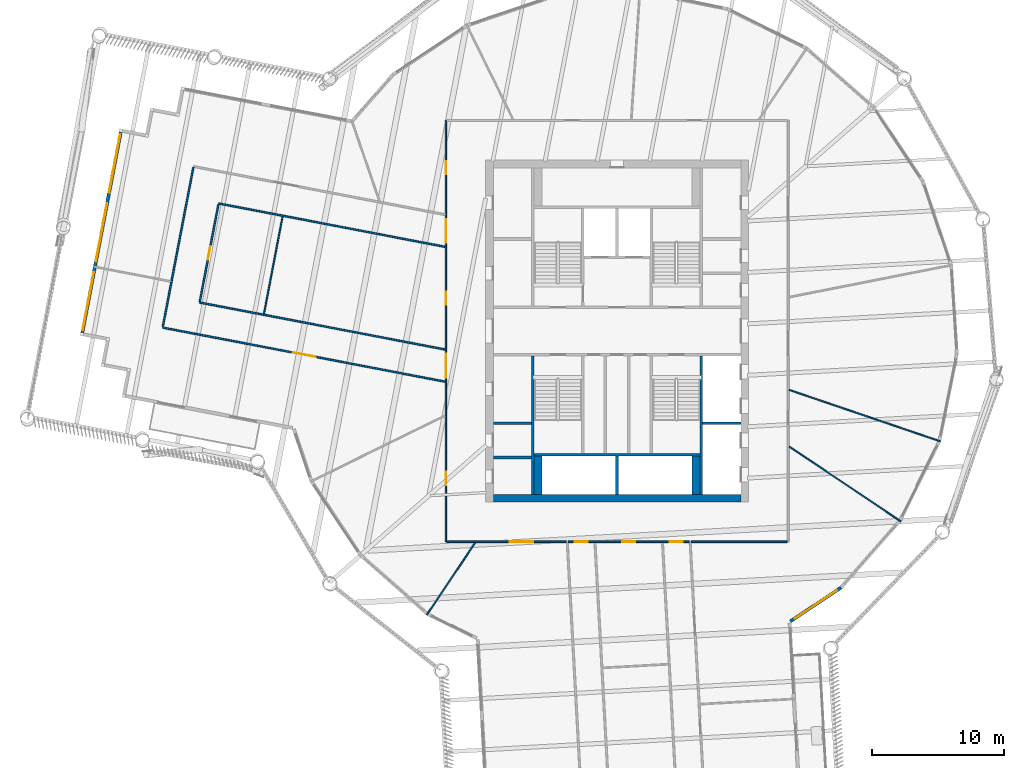
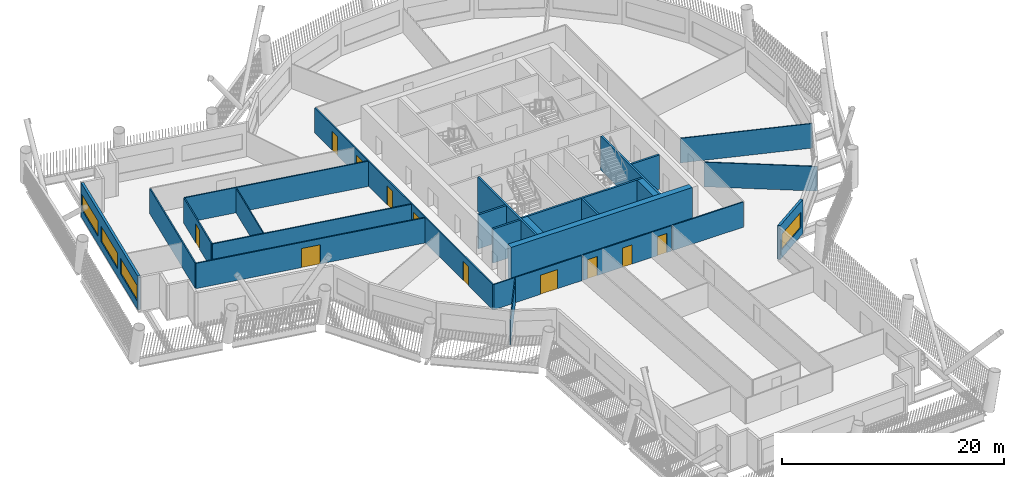
# One storey, part 4 of 23: 25 walls, 11 doors, 4 windows, 15 openings.
"""IFC4 building model written with IfcOpenShell, lengths in metres."""

from ifc_helpers import new_model, si_unit, direction, frame, frame_2d, origin, place, context, subcontext, project, spatial, rectangle, extrude, material, layer, layer_set, type_object, element, fill, save


model = new_model("IFC4")

# Units and contexts
model_context = context("Model", 3, precision=1e-05, world=origin(), true_north=direction((0.0, 1.0)))
body_context = subcontext(model_context, "Body", "Model", "MODEL_VIEW")
ifc_project = project(units=[si_unit("LENGTHUNIT", "METRE"), si_unit("AREAUNIT", "SQUARE_METRE"), si_unit("VOLUMEUNIT", "CUBIC_METRE"), si_unit("PLANEANGLEUNIT", "RADIAN"), si_unit("MASSUNIT", "GRAM", prefix="KILO")], contexts=[model_context])

# Site, building, storey
site_placement = place(None, origin())
site = spatial("IfcSite", under=ifc_project, at=site_placement, CompositionType="ELEMENT")
building_placement = place(site_placement, origin())
building = spatial("IfcBuilding", under=site, at=building_placement, Name="Tarsis Ring Headquarters", CompositionType="ELEMENT")
storey_placement = place(building_placement, frame((0.0, 0.0, 239.39990234375)))
storey = spatial("IfcBuildingStorey", under=building, at=storey_placement, Name="L56", CompositionType="ELEMENT", Elevation=239.39990234375)

# Walls
ifc_material_1 = material(Name="Blockwork", Category="masonry")
ifc_layer_1 = layer(ifc_material_1, 0.199951171875)
ifc_layer_set_1 = layer_set([ifc_layer_1], Name="Core blockwork wall 200")
wall_type_1 = type_object("IfcWallType", Name="Core blockwork wall 200", PredefinedType="PARTITIONING", material=ifc_layer_set_1)
for number, where, z_axis, x_axis, name in (
    (1, (-9.39990234375, -9.60009765625, 0.0), (0.0, 0.0, 1.0), (1.0, 0.0, 0.0), "Core partition WD1"),
    (2, (-9.39990234375, -7.0, 0.0), (0.0, 0.0, 1.0), (1.0, 0.0, 0.0), "Core partition WD2"),
):
    element("IfcWall", number, at=place(storey_placement, frame(where, z_axis=z_axis, x_axis=x_axis)), inside=storey, type_object=wall_type_1, Name=name, PredefinedType="PARTITIONING", context=body_context, shape_type="SweptSolid", body=[
        extrude(rectangle(XDim=2.89990234375, YDim=0.199951171875, at=frame_2d((1.449951171875, 0.0))), origin(), (0.0, 0.0, 1.0), 3.739990234375),
    ])
ifc_material_2 = material(Name="Concrete C50/60", Category="concrete")
ifc_layer_2 = layer(ifc_material_2, 0.60009765625)
ifc_layer_set_2 = layer_set([ifc_layer_2], Name="Core wall 600 C50/60")
wall_type_2 = type_object("IfcWallType", Name="Core wall 600 C50/60", PredefinedType="SHEAR", material=ifc_layer_set_2)
wall_1_placement = place(storey_placement, frame((-9.39990234375, -12.699951171875, 0.0), z_axis=(0.0, 0.0, 1.0), x_axis=(1.0, 0.0, 0.0)))
element("IfcWall", 3, at=wall_1_placement, inside=storey, type_object=wall_type_2, Name="Core wall OS", PredefinedType="SHEAR", context=body_context, shape_type="SweptSolid", body=[
    extrude(rectangle(XDim=18.7998046875, YDim=0.60009765625, at=frame_2d((9.39990234375, 0.0))), origin(), (0.0, 0.0, 1.0), 3.739990234375),
])
ifc_material_3 = material(Name="Gypsum board on steel studs", Category="steel")
ifc_layer_3 = layer(ifc_material_3, 0.10009765625)
ifc_layer_set_3 = layer_set([ifc_layer_3], Name="FL partition 100 unrated")
wall_type_3 = type_object("IfcWallType", Name="FL partition 100 unrated", PredefinedType="PARTITIONING", material=ifc_layer_set_3)
wall_2_placement = place(storey_placement, frame((13.07568359375, -4.46142578125, 0.0), z_axis=(0.0, 0.0, 1.0), x_axis=(0.946423829492, -0.322927135698, 0.0)))
element("IfcWall", 4, at=wall_2_placement, inside=storey, type_object=wall_type_3, Name="Partition PW3", PredefinedType="PARTITIONING", context=body_context, shape_type="SweptSolid", body=[
    extrude(rectangle(XDim=12.1318359375, YDim=0.10009765625, at=frame_2d((6.06591796875, 0.0))), origin(), (0.0, 0.0, 1.0), 2.7001953125),
])
wall_3_placement = place(storey_placement, frame((13.0830078125, -8.771484375, 0.0), z_axis=(0.0, 0.0, 1.0), x_axis=(0.830596108698, -0.55687530401, 0.0)))
element("IfcWall", 5, at=wall_3_placement, inside=storey, type_object=wall_type_3, Name="Partition PW3", PredefinedType="PARTITIONING", context=body_context, shape_type="SweptSolid", body=[
    extrude(rectangle(XDim=10.196533203125, YDim=0.10009765625, at=frame_2d((5.09814453125, 0.0))), origin(), (0.0, 0.0, 1.0), 2.7001953125),
])
wall_4_placement = place(storey_placement, frame((-26.82275390625, 1.307861328125, 0.0), z_axis=(0.0, 0.0, 1.0), x_axis=(0.188074269772, 0.982154809106, 0.0)))
element("IfcWall", 6, at=wall_4_placement, inside=storey, type_object=wall_type_3, Name="Partition PW3", PredefinedType="PARTITIONING", context=body_context, shape_type="SweptSolid", body=[
    extrude(rectangle(XDim=7.52001953125, YDim=0.10009765625, at=frame_2d((3.760009765625, 0.0))), origin(), (0.0, 0.0, 1.0), 2.7001953125),
])
wall_5_placement = place(storey_placement, frame((-14.44970703125, -21.55224609375, 0.0), z_axis=(0.0, 0.0, 1.0), x_axis=(0.556863059256, 0.830604318094, 0.0)))
element("IfcWall", 7, at=wall_5_placement, inside=storey, type_object=wall_type_3, Name="Partition PW3", PredefinedType="PARTITIONING", context=body_context, shape_type="SweptSolid", body=[
    extrude(rectangle(XDim=6.584716796875, YDim=0.10009765625, at=frame_2d((3.29248046875, 0.0))), origin(), (0.0, 0.0, 1.0), 2.7001953125),
])

# Wall, openings, doors
ifc_layer_4 = layer(ifc_material_3, 0.125)
ifc_layer_set_4 = layer_set([ifc_layer_4], Name="FL partition 125 EI 60 H2770")
wall_type_4 = type_object("IfcWallType", Name="FL partition 125 EI 60 H2770", PredefinedType="PARTITIONING", material=ifc_layer_set_4)
wall_6_placement = place(storey_placement, frame((-13.0, -16.0, 0.0), z_axis=(0.0, 0.0, 1.0), x_axis=(0.0, 1.0, 0.0)))
wall_6 = element("IfcWall", 8, at=wall_6_placement, inside=storey, type_object=wall_type_4, Name="Partition PW1", PredefinedType="PARTITIONING", context=body_context, shape_type="SweptSolid", body=[
    extrude(rectangle(XDim=32.0, YDim=0.125, at=frame_2d((16.0, 0.0))), origin(), (0.0, 0.0, 1.0), 2.77001953125),
])
opening_1_placement = place(wall_6_placement, frame((27.916259765625, 0.0, 0.0)))
opening_1 = element("IfcOpeningElement", 9, at=opening_1_placement, cuts=wall_6, Name="Opening D56.03", PredefinedType="OPENING", context=body_context, shape_type="SweptSolid", body=[
    extrude(rectangle(XDim=1.0, YDim=2.10009765625, at=frame_2d((0.5, 1.050048828125))), frame((0.0, 0.072509765625, 0.0), z_axis=(0.0, -1.0, 0.0), x_axis=(1.0, 0.0, 0.0)), (0.0, 0.0, 1.0), 0.14501953125),
])
opening_2_placement = place(wall_6_placement, frame((4.30712890625, 0.0, 0.0)))
opening_2 = element("IfcOpeningElement", 10, at=opening_2_placement, cuts=wall_6, Name="Opening D56.13", PredefinedType="OPENING", context=body_context, shape_type="SweptSolid", body=[
    extrude(rectangle(XDim=1.0, YDim=2.10009765625, at=frame_2d((0.5, 1.050048828125))), frame((0.0, 0.072509765625, 0.0), z_axis=(0.0, -1.0, 0.0), x_axis=(1.0, 0.0, 0.0)), (0.0, 0.0, 1.0), 0.14501953125),
])
opening_3_placement = place(wall_6_placement, frame((17.9892578125, 0.0, 0.0)))
opening_3 = element("IfcOpeningElement", 11, at=opening_3_placement, cuts=wall_6, Name="Opening D56.14", PredefinedType="OPENING", context=body_context, shape_type="SweptSolid", body=[
    extrude(rectangle(XDim=1.0, YDim=2.10009765625, at=frame_2d((0.5, 1.050048828125))), frame((0.0, 0.072509765625, 0.0), z_axis=(0.0, -1.0, 0.0), x_axis=(1.0, 0.0, 0.0)), (0.0, 0.0, 1.0), 0.14501953125),
])
opening_4_placement = place(wall_6_placement, frame((12.468017578125, 0.0, 0.0)))
opening_4 = element("IfcOpeningElement", 12, at=opening_4_placement, cuts=wall_6, Name="Opening D56.20", PredefinedType="OPENING", context=body_context, shape_type="SweptSolid", body=[
    extrude(rectangle(XDim=1.800048828125, YDim=2.10009765625, at=frame_2d((0.89990234375, 1.050048828125))), frame((0.0, 0.072509765625, 0.0), z_axis=(0.0, -1.0, 0.0), x_axis=(1.0, 0.0, 0.0)), (0.0, 0.0, 1.0), 0.14501953125),
])
opening_5_placement = place(wall_6_placement, frame((22.710693359375, 0.0, 0.0)))
opening_5 = element("IfcOpeningElement", 13, at=opening_5_placement, cuts=wall_6, Name="Opening D56.21", PredefinedType="OPENING", context=body_context, shape_type="SweptSolid", body=[
    extrude(rectangle(XDim=1.800048828125, YDim=2.10009765625, at=frame_2d((0.89990234375, 1.050048828125))), frame((0.0, 0.072509765625, 0.0), z_axis=(0.0, -1.0, 0.0), x_axis=(1.0, 0.0, 0.0)), (0.0, 0.0, 1.0), 0.14501953125),
])
ifc_material_4 = material(Name="Fire-rated timber door leaf in steel frame", Category="steel")
door_type_1 = type_object("IfcDoorType", Name="FL door FD60-1000", OperationType="NOTDEFINED", PredefinedType="DOOR", material=ifc_material_4)
door_1_placement = place(opening_1_placement, origin())
door_1 = element("IfcDoor", 14, at=door_1_placement, inside=storey, type_object=door_type_1, Name="Door D56.03", OperationType="SINGLE_SWING_LEFT", OverallHeight=2.10009765625, OverallWidth=1.0, PredefinedType="DOOR", context=body_context, shape_type="SweptSolid", body=[
    extrude(rectangle(XDim=1.0, YDim=2.10009765625, at=frame_2d((0.5, 1.050048828125))), frame((0.0, 0.02490234375, 0.0), z_axis=(0.0, -1.0, 0.0), x_axis=(1.0, 0.0, 0.0)), (0.0, 0.0, 1.0), 0.050048828125),
])
fill(opening_1, door_1)
door_2_placement = place(opening_2_placement, origin())
door_2 = element("IfcDoor", 15, at=door_2_placement, inside=storey, type_object=door_type_1, Name="Door D56.13", OperationType="SINGLE_SWING_LEFT", OverallHeight=2.10009765625, OverallWidth=1.0, PredefinedType="DOOR", context=body_context, shape_type="SweptSolid", body=[
    extrude(rectangle(XDim=1.0, YDim=2.10009765625, at=frame_2d((0.5, 1.050048828125))), frame((0.0, 0.02490234375, 0.0), z_axis=(0.0, -1.0, 0.0), x_axis=(1.0, 0.0, 0.0)), (0.0, 0.0, 1.0), 0.050048828125),
])
fill(opening_2, door_2)
door_3_placement = place(opening_3_placement, origin())
door_3 = element("IfcDoor", 16, at=door_3_placement, inside=storey, type_object=door_type_1, Name="Door D56.14", OperationType="SINGLE_SWING_RIGHT", OverallHeight=2.10009765625, OverallWidth=1.0, PredefinedType="DOOR", context=body_context, shape_type="SweptSolid", body=[
    extrude(rectangle(XDim=1.0, YDim=2.10009765625, at=frame_2d((0.5, 1.050048828125))), frame((0.0, 0.02490234375, 0.0), z_axis=(0.0, -1.0, 0.0), x_axis=(1.0, 0.0, 0.0)), (0.0, 0.0, 1.0), 0.050048828125),
])
fill(opening_3, door_3)
door_type_2 = type_object("IfcDoorType", Name="FL door FD60-1800", OperationType="DOUBLE_DOOR_SINGLE_SWING", PredefinedType="DOOR", material=ifc_material_4)
door_4_placement = place(opening_4_placement, origin())
door_4 = element("IfcDoor", 17, at=door_4_placement, inside=storey, type_object=door_type_2, Name="Door D56.20", OperationType="DOUBLE_DOOR_SINGLE_SWING", OverallHeight=2.10009765625, OverallWidth=1.800048828125, PredefinedType="DOOR", context=body_context, shape_type="SweptSolid", body=[
    extrude(rectangle(XDim=1.800048828125, YDim=2.10009765625, at=frame_2d((0.89990234375, 1.050048828125))), frame((0.0, 0.02490234375, 0.0), z_axis=(0.0, -1.0, 0.0), x_axis=(1.0, 0.0, 0.0)), (0.0, 0.0, 1.0), 0.050048828125),
])
fill(opening_4, door_4)
door_5_placement = place(opening_5_placement, origin())
door_5 = element("IfcDoor", 18, at=door_5_placement, inside=storey, type_object=door_type_2, Name="Door D56.21", OperationType="DOUBLE_DOOR_SINGLE_SWING", OverallHeight=2.10009765625, OverallWidth=1.800048828125, PredefinedType="DOOR", context=body_context, shape_type="SweptSolid", body=[
    extrude(rectangle(XDim=1.800048828125, YDim=2.10009765625, at=frame_2d((0.89990234375, 1.050048828125))), frame((0.0, 0.02490234375, 0.0), z_axis=(0.0, -1.0, 0.0), x_axis=(1.0, 0.0, 0.0)), (0.0, 0.0, 1.0), 0.050048828125),
])
fill(opening_5, door_5)

# Wall, opening, door
wall_7_placement = place(storey_placement, frame((-12.93994140625, -16.0, 0.0), z_axis=(0.0, 0.0, 1.0), x_axis=(1.0, 0.0, 0.0)))
wall_7 = element("IfcWall", 19, at=wall_7_placement, inside=storey, type_object=wall_type_4, Name="Partition PW1", PredefinedType="PARTITIONING", context=body_context, shape_type="SweptSolid", body=[
    extrude(rectangle(XDim=9.09375, YDim=0.125, at=frame_2d((4.546875, 0.0))), origin(), (0.0, 0.0, 1.0), 2.77001953125),
])
opening_6_placement = place(wall_7_placement, frame((4.784423828125, 0.0, 0.0)))
opening_6 = element("IfcOpeningElement", 20, at=opening_6_placement, cuts=wall_7, Name="Opening D56.12", PredefinedType="OPENING", context=body_context, shape_type="SweptSolid", body=[
    extrude(rectangle(XDim=1.800048828125, YDim=2.10009765625, at=frame_2d((0.89990234375, 1.050048828125))), frame((0.0, 0.072509765625, 0.0), z_axis=(0.0, -1.0, 0.0), x_axis=(1.0, 0.0, 0.0)), (0.0, 0.0, 1.0), 0.14501953125),
])
door_6_placement = place(opening_6_placement, origin())
door_6 = element("IfcDoor", 21, at=door_6_placement, inside=storey, type_object=door_type_2, Name="Door D56.12", OperationType="DOUBLE_DOOR_SINGLE_SWING", OverallHeight=2.10009765625, OverallWidth=1.800048828125, PredefinedType="DOOR", context=body_context, shape_type="SweptSolid", body=[
    extrude(rectangle(XDim=1.800048828125, YDim=2.10009765625, at=frame_2d((0.89990234375, 1.050048828125))), frame((0.0, 0.02490234375, 0.0), z_axis=(0.0, -1.0, 0.0), x_axis=(1.0, 0.0, 0.0)), (0.0, 0.0, 1.0), 0.050048828125),
])
fill(opening_6, door_6)

# Wall, openings, doors
wall_8_placement = place(storey_placement, frame((-3.7177734375, -16.0, 0.0), z_axis=(0.0, 0.0, 1.0), x_axis=(1.0, 0.0, 0.0)))
wall_8 = element("IfcWall", 22, at=wall_8_placement, inside=storey, type_object=wall_type_4, Name="Partition PW1", PredefinedType="PARTITIONING", context=body_context, shape_type="SweptSolid", body=[
    extrude(rectangle(XDim=9.205810546875, YDim=0.125, at=frame_2d((4.60302734375, 0.0))), origin(), (0.0, 0.0, 1.0), 2.77001953125),
])
opening_7_placement = place(wall_8_placement, frame((4.10107421875, 0.0, 0.0)))
opening_7 = element("IfcOpeningElement", 23, at=opening_7_placement, cuts=wall_8, Name="Opening D56.16", PredefinedType="OPENING", context=body_context, shape_type="SweptSolid", body=[
    extrude(rectangle(XDim=1.0, YDim=2.10009765625, at=frame_2d((0.5, 1.050048828125))), frame((0.0, 0.072509765625, 0.0), z_axis=(0.0, -1.0, 0.0), x_axis=(1.0, 0.0, 0.0)), (0.0, 0.0, 1.0), 0.14501953125),
])
opening_8_placement = place(wall_8_placement, frame((0.485595703125, 0.0, 0.0)))
opening_8 = element("IfcOpeningElement", 24, at=opening_8_placement, cuts=wall_8, Name="Opening D56.18", PredefinedType="OPENING", context=body_context, shape_type="SweptSolid", body=[
    extrude(rectangle(XDim=1.0, YDim=2.10009765625, at=frame_2d((0.5, 1.050048828125))), frame((0.0, 0.072509765625, 0.0), z_axis=(0.0, -1.0, 0.0), x_axis=(1.0, 0.0, 0.0)), (0.0, 0.0, 1.0), 0.14501953125),
])
opening_9_placement = place(wall_8_placement, frame((7.716552734375, 0.0, 0.0)))
opening_9 = element("IfcOpeningElement", 25, at=opening_9_placement, cuts=wall_8, Name="Opening D56.19", PredefinedType="OPENING", context=body_context, shape_type="SweptSolid", body=[
    extrude(rectangle(XDim=1.0, YDim=2.10009765625, at=frame_2d((0.5, 1.050048828125))), frame((0.0, 0.072509765625, 0.0), z_axis=(0.0, -1.0, 0.0), x_axis=(1.0, 0.0, 0.0)), (0.0, 0.0, 1.0), 0.14501953125),
])
door_7_placement = place(opening_7_placement, origin())
door_7 = element("IfcDoor", 26, at=door_7_placement, inside=storey, type_object=door_type_1, Name="Door D56.16", OperationType="SINGLE_SWING_RIGHT", OverallHeight=2.10009765625, OverallWidth=1.0, PredefinedType="DOOR", context=body_context, shape_type="SweptSolid", body=[
    extrude(rectangle(XDim=1.0, YDim=2.10009765625, at=frame_2d((0.5, 1.050048828125))), frame((0.0, 0.02490234375, 0.0), z_axis=(0.0, -1.0, 0.0), x_axis=(1.0, 0.0, 0.0)), (0.0, 0.0, 1.0), 0.050048828125),
])
fill(opening_7, door_7)
door_8_placement = place(opening_8_placement, origin())
door_8 = element("IfcDoor", 27, at=door_8_placement, inside=storey, type_object=door_type_1, Name="Door D56.18", OperationType="SINGLE_SWING_RIGHT", OverallHeight=2.10009765625, OverallWidth=1.0, PredefinedType="DOOR", context=body_context, shape_type="SweptSolid", body=[
    extrude(rectangle(XDim=1.0, YDim=2.10009765625, at=frame_2d((0.5, 1.050048828125))), frame((0.0, 0.02490234375, 0.0), z_axis=(0.0, -1.0, 0.0), x_axis=(1.0, 0.0, 0.0)), (0.0, 0.0, 1.0), 0.050048828125),
])
fill(opening_8, door_8)
door_9_placement = place(opening_9_placement, origin())
door_9 = element("IfcDoor", 28, at=door_9_placement, inside=storey, type_object=door_type_1, Name="Door D56.19", OperationType="SINGLE_SWING_LEFT", OverallHeight=2.10009765625, OverallWidth=1.0, PredefinedType="DOOR", context=body_context, shape_type="SweptSolid", body=[
    extrude(rectangle(XDim=1.0, YDim=2.10009765625, at=frame_2d((0.5, 1.050048828125))), frame((0.0, 0.02490234375, 0.0), z_axis=(0.0, -1.0, 0.0), x_axis=(1.0, 0.0, 0.0)), (0.0, 0.0, 1.0), 0.050048828125),
])
fill(opening_9, door_9)

# Wall
wall_9_placement = place(storey_placement, frame((5.616455078125, -16.0, 0.0), z_axis=(0.0, 0.0, 1.0), x_axis=(1.0, 0.0, 0.0)))
element("IfcWall", 29, at=wall_9_placement, inside=storey, type_object=wall_type_4, Name="Partition PW1", PredefinedType="PARTITIONING", context=body_context, shape_type="SweptSolid", body=[
    extrude(rectangle(XDim=7.323486328125, YDim=0.125, at=frame_2d((3.66162109375, 0.0))), origin(), (0.0, 0.0, 1.0), 2.77001953125),
])

# Wall, opening, door
wall_10_placement = place(storey_placement, frame((-34.515869140625, 0.26611328125, 0.0), z_axis=(0.0, 0.0, 1.0), x_axis=(0.982154708549, -0.188074794896, 0.0)))
wall_10 = element("IfcWall", 30, at=wall_10_placement, inside=storey, type_object=wall_type_4, Name="Partition PW1", PredefinedType="PARTITIONING", context=body_context, shape_type="SweptSolid", body=[
    extrude(rectangle(XDim=21.836669921875, YDim=0.125, at=frame_2d((10.91845703125, 0.0))), origin(), (0.0, 0.0, 1.0), 2.77001953125),
])
opening_10_placement = place(wall_10_placement, frame((10.053466796875, 0.0, 0.0)))
opening_10 = element("IfcOpeningElement", 31, at=opening_10_placement, cuts=wall_10, Name="Opening D56.01", PredefinedType="OPENING", context=body_context, shape_type="SweptSolid", body=[
    extrude(rectangle(XDim=1.800048828125, YDim=2.10009765625, at=frame_2d((0.89990234375, 1.050048828125))), frame((0.0, 0.072509765625, 0.0), z_axis=(0.0, -1.0, 0.0), x_axis=(1.0, 0.0, 0.0)), (0.0, 0.0, 1.0), 0.14501953125),
])
door_10_placement = place(opening_10_placement, origin())
door_10 = element("IfcDoor", 32, at=door_10_placement, inside=storey, type_object=door_type_2, Name="Door D56.01", OperationType="DOUBLE_DOOR_SINGLE_SWING", OverallHeight=2.10009765625, OverallWidth=1.800048828125, PredefinedType="DOOR", context=body_context, shape_type="SweptSolid", body=[
    extrude(rectangle(XDim=1.800048828125, YDim=2.10009765625, at=frame_2d((0.89990234375, 1.050048828125))), frame((0.0, 0.02490234375, 0.0), z_axis=(0.0, -1.0, 0.0), x_axis=(1.0, 0.0, 0.0)), (0.0, 0.0, 1.0), 0.050048828125),
])
fill(opening_10, door_10)

# Walls
wall_11_placement = place(storey_placement, frame((-31.707275390625, 2.171875, 0.0), z_axis=(0.0, 0.0, 1.0), x_axis=(0.982154888523, -0.18807385504, 0.0)))
element("IfcWall", 33, at=wall_11_placement, inside=storey, type_object=wall_type_4, Name="Partition PW1", PredefinedType="PARTITIONING", context=body_context, shape_type="SweptSolid", body=[
    extrude(rectangle(XDim=18.97705078125, YDim=0.125, at=frame_2d((9.488525390625, 0.0))), origin(), (0.0, 0.0, 1.0), 2.77001953125),
])
wall_12_placement = place(storey_placement, frame((-30.2666015625, 9.6953125, 0.0), z_axis=(0.0, 0.0, 1.0), x_axis=(0.982154917907, -0.188073701593, 0.0)))
element("IfcWall", 34, at=wall_12_placement, inside=storey, type_object=wall_type_4, Name="Partition PW1", PredefinedType="PARTITIONING", context=body_context, shape_type="SweptSolid", body=[
    extrude(rectangle(XDim=17.51025390625, YDim=0.125, at=frame_2d((8.755126953125, 0.0))), origin(), (0.0, 0.0, 1.0), 2.77001953125),
])
wall_13_placement = place(storey_placement, frame((-34.504638671875, 0.324951171875, 0.0), z_axis=(0.0, 0.0, 1.0), x_axis=(0.188070240513, 0.982155580666, 0.0)))
element("IfcWall", 35, at=wall_13_placement, inside=storey, type_object=wall_type_4, Name="Partition PW1", PredefinedType="PARTITIONING", context=body_context, shape_type="SweptSolid", body=[
    extrude(rectangle(XDim=12.340087890625, YDim=0.125, at=frame_2d((6.169921875, 0.0))), origin(), (0.0, 0.0, 1.0), 2.77001953125),
])

# Wall, opening, door
wall_14_placement = place(storey_placement, frame((-31.696044921875, 2.230712890625, 0.0), z_axis=(0.0, 0.0, 1.0), x_axis=(0.188058315198, 0.982157864136, 0.0)))
wall_14 = element("IfcWall", 36, at=wall_14_placement, inside=storey, type_object=wall_type_4, Name="Partition PW1", PredefinedType="PARTITIONING", context=body_context, shape_type="SweptSolid", body=[
    extrude(rectangle(XDim=7.5400390625, YDim=0.125, at=frame_2d((3.77001953125, 0.0))), origin(), (0.0, 0.0, 1.0), 2.77001953125),
])
opening_11_placement = place(wall_14_placement, frame((3.27001953125, 0.0, 0.0)))
opening_11 = element("IfcOpeningElement", 37, at=opening_11_placement, cuts=wall_14, Name="Opening D56.15", PredefinedType="OPENING", context=body_context, shape_type="SweptSolid", body=[
    extrude(rectangle(XDim=1.0, YDim=2.10009765625, at=frame_2d((0.5, 1.050048828125))), frame((0.0, 0.072509765625, 0.0), z_axis=(0.0, -1.0, 0.0), x_axis=(1.0, 0.0, 0.0)), (0.0, 0.0, 1.0), 0.14501953125),
])
door_11_placement = place(opening_11_placement, origin())
door_11 = element("IfcDoor", 38, at=door_11_placement, inside=storey, type_object=door_type_1, Name="Door D56.15", OperationType="SINGLE_SWING_LEFT", OverallHeight=2.10009765625, OverallWidth=1.0, PredefinedType="DOOR", context=body_context, shape_type="SweptSolid", body=[
    extrude(rectangle(XDim=1.0, YDim=2.10009765625, at=frame_2d((0.5, 1.050048828125))), frame((0.0, 0.02490234375, 0.0), z_axis=(0.0, -1.0, 0.0), x_axis=(1.0, 0.0, 0.0)), (0.0, 0.0, 1.0), 0.050048828125),
])
fill(opening_11, door_11)

# Wall, opening, window
ifc_material_5 = material(Name="Terracotta clad insulated panel wall", Category="masonry")
ifc_layer_5 = layer(ifc_material_5, 0.25)
ifc_layer_set_5 = layer_set([ifc_layer_5], Name="Facade wall terracotta panel 250")
wall_type_5 = type_object("IfcWallType", Name="Facade wall terracotta panel 250", PredefinedType="STANDARD", material=ifc_layer_set_5)
wall_15_placement = place(storey_placement, frame((13.171875, -22.04833984375, 0.0), z_axis=(0.0, 0.0, 1.0), x_axis=(0.832367371461, 0.554224285761, 0.0)))
wall_15 = element("IfcWall", 39, at=wall_15_placement, inside=storey, type_object=wall_type_5, Name="External wall L56-17", PredefinedType="STANDARD", context=body_context, shape_type="SweptSolid", body=[
    extrude(rectangle(XDim=4.617919921875, YDim=0.25, at=frame_2d((2.30908203125, 0.0))), origin(), (0.0, 0.0, 1.0), 3.739990234375),
])
opening_12_placement = place(wall_15_placement, frame((0.400390625, 0.0, 0.89990234375)))
opening_12 = element("IfcOpeningElement", 40, at=opening_12_placement, cuts=wall_15, Name="Opening WN02", PredefinedType="OPENING", context=body_context, shape_type="SweptSolid", body=[
    extrude(rectangle(XDim=3.85009765625, YDim=1.699951171875, at=frame_2d((1.925048828125, 0.85009765625))), frame((0.0, 0.135009765625, 0.0), z_axis=(0.0, -1.0, 0.0), x_axis=(1.0, 0.0, 0.0)), (0.0, 0.0, 1.0), 0.27001953125),
])
ifc_material_6 = material(Name="Aluminium framed double glazing", Category="aluminium")
window_type_1 = type_object("IfcWindowType", Name="Facade window 3850 x 1700", PartitioningType="SINGLE_PANEL", PredefinedType="WINDOW", material=ifc_material_6)
window_1_placement = place(opening_12_placement, origin())
window_1 = element("IfcWindow", 41, at=window_1_placement, inside=storey, type_object=window_type_1, Name="Window L56-17.1", OverallHeight=1.699951171875, OverallWidth=3.85009765625, PartitioningType="SINGLE_PANEL", PredefinedType="WINDOW", context=body_context, shape_type="SweptSolid", body=[
    extrude(rectangle(XDim=3.85009765625, YDim=1.699951171875, at=frame_2d((1.925048828125, 0.85009765625))), frame((0.0, 0.030029296875, 0.0), z_axis=(0.0, -1.0, 0.0), x_axis=(1.0, 0.0, 0.0)), (0.0, 0.0, 1.0), 0.06005859375),
])
fill(opening_12, window_1)

# Wall, openings, windows
wall_16_placement = place(storey_placement, frame((-37.7060546875, 15.11083984375, 0.0), z_axis=(0.0, 0.0, 1.0), x_axis=(-0.188067421666, -0.982156120435, 0.0)))
wall_16 = element("IfcWall", 42, at=wall_16_placement, inside=storey, type_object=wall_type_5, Name="External wall L56-36", PredefinedType="STANDARD", context=body_context, shape_type="SweptSolid", body=[
    extrude(rectangle(XDim=15.5, YDim=0.25, at=frame_2d((7.75, 0.0))), origin(), (0.0, 0.0, 1.0), 3.739990234375),
])
opening_13_placement = place(wall_16_placement, frame((0.166748046875, 0.0, 0.89990234375)))
opening_13 = element("IfcOpeningElement", 43, at=opening_13_placement, cuts=wall_16, Name="Opening WN04", PredefinedType="OPENING", context=body_context, shape_type="SweptSolid", body=[
    extrude(rectangle(XDim=4.5, YDim=1.699951171875, at=frame_2d((2.25, 0.85009765625))), frame((0.0, 0.135009765625, 0.0), z_axis=(0.0, -1.0, 0.0), x_axis=(1.0, 0.0, 0.0)), (0.0, 0.0, 1.0), 0.27001953125),
])
opening_14_placement = place(wall_16_placement, frame((5.5, 0.0, 0.89990234375)))
opening_14 = element("IfcOpeningElement", 44, at=opening_14_placement, cuts=wall_16, Name="Opening WN04", PredefinedType="OPENING", context=body_context, shape_type="SweptSolid", body=[
    extrude(rectangle(XDim=4.5, YDim=1.699951171875, at=frame_2d((2.25, 0.85009765625))), frame((0.0, 0.135009765625, 0.0), z_axis=(0.0, -1.0, 0.0), x_axis=(1.0, 0.0, 0.0)), (0.0, 0.0, 1.0), 0.27001953125),
])
opening_15_placement = place(wall_16_placement, frame((10.833251953125, 0.0, 0.89990234375)))
opening_15 = element("IfcOpeningElement", 45, at=opening_15_placement, cuts=wall_16, Name="Opening WN04", PredefinedType="OPENING", context=body_context, shape_type="SweptSolid", body=[
    extrude(rectangle(XDim=4.5, YDim=1.699951171875, at=frame_2d((2.25, 0.85009765625))), frame((0.0, 0.135009765625, 0.0), z_axis=(0.0, -1.0, 0.0), x_axis=(1.0, 0.0, 0.0)), (0.0, 0.0, 1.0), 0.27001953125),
])
window_type_2 = type_object("IfcWindowType", Name="Facade window 4500 x 1700", PartitioningType="SINGLE_PANEL", PredefinedType="WINDOW", material=ifc_material_6)
window_2_placement = place(opening_13_placement, origin())
window_2 = element("IfcWindow", 46, at=window_2_placement, inside=storey, type_object=window_type_2, Name="Window L56-36.1", OverallHeight=1.699951171875, OverallWidth=4.5, PartitioningType="SINGLE_PANEL", PredefinedType="WINDOW", context=body_context, shape_type="SweptSolid", body=[
    extrude(rectangle(XDim=4.5, YDim=1.699951171875, at=frame_2d((2.25, 0.85009765625))), frame((0.0, 0.030029296875, 0.0), z_axis=(0.0, -1.0, 0.0), x_axis=(1.0, 0.0, 0.0)), (0.0, 0.0, 1.0), 0.06005859375),
])
fill(opening_13, window_2)
window_3_placement = place(opening_14_placement, origin())
window_3 = element("IfcWindow", 47, at=window_3_placement, inside=storey, type_object=window_type_2, Name="Window L56-36.2", OverallHeight=1.699951171875, OverallWidth=4.5, PartitioningType="SINGLE_PANEL", PredefinedType="WINDOW", context=body_context, shape_type="SweptSolid", body=[
    extrude(rectangle(XDim=4.5, YDim=1.699951171875, at=frame_2d((2.25, 0.85009765625))), frame((0.0, 0.030029296875, 0.0), z_axis=(0.0, -1.0, 0.0), x_axis=(1.0, 0.0, 0.0)), (0.0, 0.0, 1.0), 0.06005859375),
])
fill(opening_14, window_3)
window_4_placement = place(opening_15_placement, origin())
window_4 = element("IfcWindow", 48, at=window_4_placement, inside=storey, type_object=window_type_2, Name="Window L56-36.3", OverallHeight=1.699951171875, OverallWidth=4.5, PartitioningType="SINGLE_PANEL", PredefinedType="WINDOW", context=body_context, shape_type="SweptSolid", body=[
    extrude(rectangle(XDim=4.5, YDim=1.699951171875, at=frame_2d((2.25, 0.85009765625))), frame((0.0, 0.030029296875, 0.0), z_axis=(0.0, -1.0, 0.0), x_axis=(1.0, 0.0, 0.0)), (0.0, 0.0, 1.0), 0.06005859375),
])
fill(opening_15, window_4)

# Walls
ifc_material_7 = material(Name="Concrete C32/40", Category="concrete")
ifc_layer_6 = layer(ifc_material_7, 0.60009765625)
ifc_layer_set_6 = layer_set([ifc_layer_6], Name="Shaft end wall 600 C32/40")
wall_type_6 = type_object("IfcWallType", Name="Shaft end wall 600 C32/40", PredefinedType="SOLIDWALL", material=ifc_layer_set_6)
for number, where, z_axis, x_axis, name in (
    (49, (-6.0, -12.39990234375, 0.0), (0.0, 0.0, 1.0), (0.0, 1.0, 0.0), "Core shaft wall SNE1"),
    (50, (6.0, -12.39990234375, 0.0), (0.0, 0.0, 1.0), (0.0, 1.0, 0.0), "Core shaft wall SNE2"),
):
    element("IfcWall", number, at=place(storey_placement, frame(where, z_axis=z_axis, x_axis=x_axis)), inside=storey, type_object=wall_type_6, Name=name, PredefinedType="SOLIDWALL", context=body_context, shape_type="SweptSolid", body=[
        extrude(rectangle(XDim=2.89990234375, YDim=0.60009765625, at=frame_2d((1.449951171875, 0.0))), origin(), (0.0, 0.0, 1.0), 3.739990234375),
    ])
ifc_layer_7 = layer(ifc_material_7, 0.199951171875)
ifc_layer_set_7 = layer_set([ifc_layer_7], Name="Shaft wall 200 C32/40")
wall_type_7 = type_object("IfcWallType", Name="Shaft wall 200 C32/40", PredefinedType="SOLIDWALL", material=ifc_layer_set_7)
for number, where, z_axis, x_axis, name in (
    (51, (-6.39990234375, -12.39990234375, 0.0), (0.0, 0.0, 1.0), (0.0, 1.0, 0.0), "Core shaft wall WB1"),
    (52, (6.39990234375, -12.39990234375, 0.0), (0.0, 0.0, 1.0), (0.0, 1.0, 0.0), "Core shaft wall EB1"),
):
    element("IfcWall", number, at=place(storey_placement, frame(where, z_axis=z_axis, x_axis=x_axis)), inside=storey, type_object=wall_type_7, Name=name, PredefinedType="SOLIDWALL", context=body_context, shape_type="SweptSolid", body=[
        extrude(rectangle(XDim=10.5, YDim=0.199951171875, at=frame_2d((5.25, 0.0))), origin(), (0.0, 0.0, 1.0), 3.739990234375),
    ])
wall_17_placement = place(storey_placement, frame((-6.300048828125, -9.39990234375, 0.0), z_axis=(0.0, 0.0, 1.0), x_axis=(1.0, 0.0, 0.0)))
element("IfcWall", 53, at=wall_17_placement, inside=storey, type_object=wall_type_7, Name="Core shaft wall SB", PredefinedType="SOLIDWALL", context=body_context, shape_type="SweptSolid", body=[
    extrude(rectangle(XDim=12.60009765625, YDim=0.199951171875, at=frame_2d((6.300048828125, 0.0))), origin(), (0.0, 0.0, 1.0), 3.739990234375),
])
for number, where, z_axis, x_axis, name in (
    (54, (6.5, -7.0, 0.0), (0.0, 0.0, 1.0), (1.0, 0.0, 0.0), "Core shaft wall ED2"),
    (55, (0.0, -12.39990234375, 0.0), (0.0, 0.0, 1.0), (0.0, 1.0, 0.0), "Core shaft wall SD2"),
):
    element("IfcWall", number, at=place(storey_placement, frame(where, z_axis=z_axis, x_axis=x_axis)), inside=storey, type_object=wall_type_7, Name=name, PredefinedType="SOLIDWALL", context=body_context, shape_type="SweptSolid", body=[
        extrude(rectangle(XDim=2.89990234375, YDim=0.199951171875, at=frame_2d((1.449951171875, 0.0))), origin(), (0.0, 0.0, 1.0), 3.739990234375),
    ])

save(model, "model.ifc")
